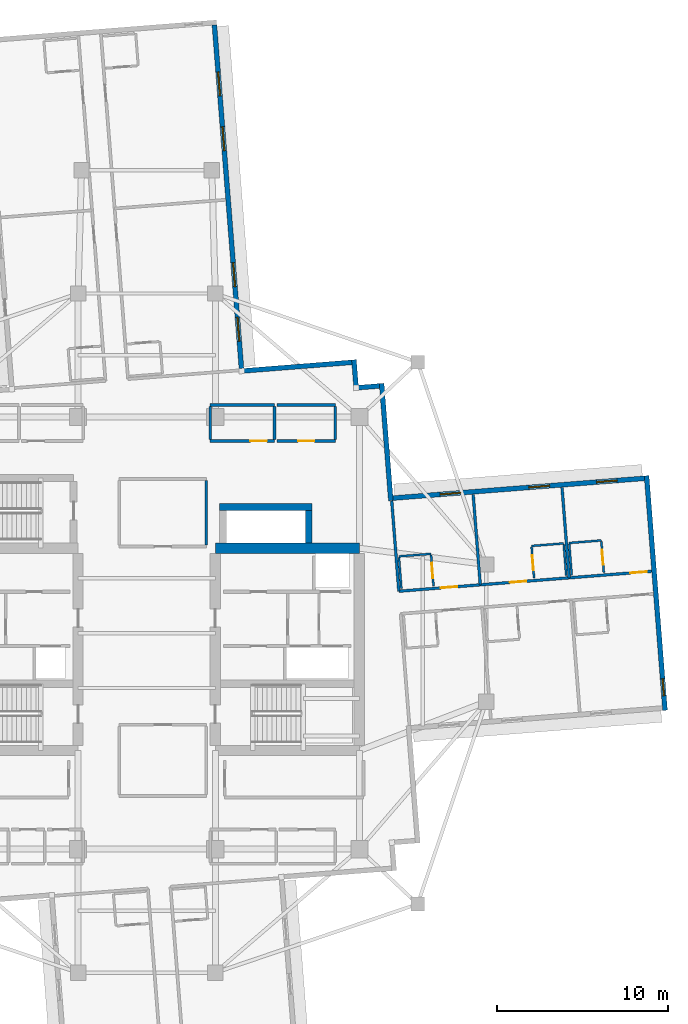
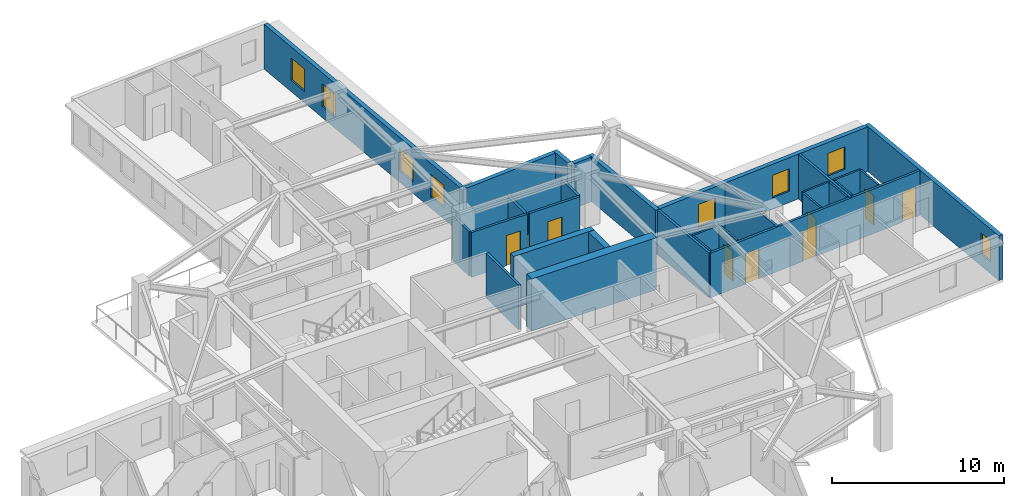
# One storey, part 8 of 13: 31 walls, 8 doors, 8 windows, 16 openings.
"""IFC4 building model written with IfcOpenShell, lengths in metres."""

from ifc_helpers import new_model, si_unit, direction, frame, frame_2d, origin, place, context, subcontext, project, spatial, rectangle, extrude, material, layer, layer_set, type_object, element, fill, save


model = new_model("IFC4")

# Units and contexts
model_context = context("Model", 3, precision=1e-05, world=origin(), true_north=direction((0.0, 1.0)))
body_context = subcontext(model_context, "Body", "Model", "MODEL_VIEW")
ifc_project = project(units=[si_unit("LENGTHUNIT", "METRE"), si_unit("AREAUNIT", "SQUARE_METRE"), si_unit("VOLUMEUNIT", "CUBIC_METRE"), si_unit("PLANEANGLEUNIT", "RADIAN"), si_unit("MASSUNIT", "GRAM", prefix="KILO")], contexts=[model_context])

# Site, building, storey
site_placement = place(None, origin())
site = spatial("IfcSite", under=ifc_project, at=site_placement, CompositionType="ELEMENT")
building_placement = place(site_placement, origin())
building = spatial("IfcBuilding", under=site, at=building_placement, Name="Qingluan Cross Belvedere", CompositionType="ELEMENT")
storey_placement = place(building_placement, frame((0.0, 0.0, 205.199951171875)))
storey = spatial("IfcBuildingStorey", under=building, at=storey_placement, Name="L51", CompositionType="ELEMENT", Elevation=205.199951171875)

# Walls
ifc_material_1 = material(Name="Concrete C50", Category="concrete")
ifc_layer_1 = layer(ifc_material_1, 0.449951171875, Name="CoreShearWall_450")
ifc_layer_set_1 = layer_set([ifc_layer_1], Name="Concrete C50")
wall_type_1 = type_object("IfcWallType", Name="CoreShearWall_450", PredefinedType="SHEAR", material=ifc_layer_set_1)
wall_1_placement = place(storey_placement, frame((4.25, 7.35009765625, 0.0), z_axis=(0.0, 0.0, 1.0), x_axis=(1.0, 0.0, 0.0)))
element("IfcWall", 1, at=wall_1_placement, inside=storey, type_object=wall_type_1, Name="Express shuttle core wall L51-N", PredefinedType="SHEAR", context=body_context, shape_type="SweptSolid", body=[
    extrude(rectangle(XDim=5.39990234375, YDim=0.39990234375, at=frame_2d((2.699951171875, 0.0))), origin(), (0.0, 0.0, 1.0), 3.699951171875),
])
wall_2_placement = place(storey_placement, frame((9.449951171875, 5.2548828125, 0.0), z_axis=(0.0, 0.0, 1.0), x_axis=(0.0, 1.0, 0.0)))
element("IfcWall", 2, at=wall_2_placement, inside=storey, type_object=wall_type_1, Name="Express shuttle core wall L51-E", PredefinedType="SHEAR", context=body_context, shape_type="SweptSolid", body=[
    extrude(rectangle(XDim=1.885009765625, YDim=0.39990234375, at=frame_2d((0.9423828125, 0.0))), origin(), (0.0, 0.0, 1.0), 3.699951171875),
])
ifc_material_2 = material(Name="Concrete C60", Category="concrete")
ifc_layer_2 = layer(ifc_material_2, 0.60009765625, Name="CoreShearWall_600")
ifc_layer_set_2 = layer_set([ifc_layer_2], Name="Concrete C60")
wall_type_2 = type_object("IfcWallType", Name="CoreShearWall_600", PredefinedType="SHEAR", material=ifc_layer_set_2)
wall_3_placement = place(storey_placement, frame((4.0, 4.949951171875, 0.0), z_axis=(0.0, 0.0, 1.0), x_axis=(1.0, 0.0, 0.0)))
element("IfcWall", 3, at=wall_3_placement, inside=storey, type_object=wall_type_2, Name="Split core E shear wall L51-N", PredefinedType="SHEAR", context=body_context, shape_type="SweptSolid", body=[
    extrude(rectangle(XDim=8.39990234375, YDim=0.60009765625, at=frame_2d((4.199951171875, 0.0))), origin(), (0.0, 0.0, 1.0), 3.699951171875),
])

# Wall, opening, door
ifc_material_3 = material(Name="Gypsum plasterboard on steel stud acoustic partition", Category="steel")
ifc_layer_3 = layer(ifc_material_3, 0.159912109375, Name="CorridorPartition_160")
ifc_layer_set_3 = layer_set([ifc_layer_3], Name="Gypsum plasterboard on steel stud acoustic partition")
wall_type_3 = type_object("IfcWallType", Name="CorridorPartition_160", PredefinedType="PARTITIONING", material=ifc_layer_set_3)
wall_4_placement = place(storey_placement, frame((3.699951171875, 11.199951171875, 0.0), z_axis=(0.0, 0.0, 1.0), x_axis=(1.0, 0.0, 0.0)))
wall_4 = element("IfcWall", 4, at=wall_4_placement, inside=storey, type_object=wall_type_3, Name="Partition L51:q_ne1:S", PredefinedType="PARTITIONING", context=body_context, shape_type="SweptSolid", body=[
    extrude(rectangle(XDim=3.75, YDim=0.159912109375, at=frame_2d((1.875, 0.0))), origin(), (0.0, 0.0, 1.0), 3.170166015625),
])
opening_1_placement = place(wall_4_placement, frame((2.344970703125, 0.0, 0.0)))
opening_1 = element("IfcOpeningElement", 5, at=opening_1_placement, cuts=wall_4, Name="Opening GD-10", PredefinedType="OPENING", context=body_context, shape_type="SweptSolid", body=[
    extrude(rectangle(XDim=0.9599609375, YDim=2.14990234375, at=frame_2d((0.47998046875, 1.074951171875))), frame((0.0, 0.08984375, 0.0), z_axis=(0.0, -1.0, 0.0), x_axis=(1.0, 0.0, 0.0)), (0.0, 0.0, 1.0), 0.179931640625),
])
ifc_material_4 = material(Name="Timber oak fire-rated acoustic guestroom door", Category="wood")
door_type_1 = type_object("IfcDoorType", Name="GuestEntryDoor_FD60", OperationType="NOTDEFINED", PredefinedType="DOOR", material=ifc_material_4)
door_1_placement = place(opening_1_placement, origin())
door_1 = element("IfcDoor", 6, at=door_1_placement, inside=storey, type_object=door_type_1, Name="Private chef dining room L51 door", OperationType="SINGLE_SWING_RIGHT", OverallHeight=2.14990234375, OverallWidth=0.9599609375, PredefinedType="DOOR", context=body_context, shape_type="SweptSolid", body=[
    extrude(rectangle(XDim=0.9599609375, YDim=2.14990234375, at=frame_2d((0.47998046875, 1.074951171875))), frame((0.0, 0.02490234375, 0.0), z_axis=(0.0, -1.0, 0.0), x_axis=(1.0, 0.0, 0.0)), (0.0, 0.0, 1.0), 0.050048828125),
])
fill(opening_1, door_1)

# Walls
wall_5_placement = place(storey_placement, frame((3.699951171875, 13.300048828125, 0.0), z_axis=(0.0, 0.0, 1.0), x_axis=(1.0, 0.0, 0.0)))
element("IfcWall", 7, at=wall_5_placement, inside=storey, type_object=wall_type_3, Name="Partition L51:q_ne1:N", PredefinedType="PARTITIONING", context=body_context, shape_type="SweptSolid", body=[
    extrude(rectangle(XDim=3.75, YDim=0.159912109375, at=frame_2d((1.875, 0.0))), origin(), (0.0, 0.0, 1.0), 3.170166015625),
])
for number, where, z_axis, x_axis, name in (
    (8, (3.699951171875, 11.284912109375, 0.0), (0.0, 0.0, 1.0), (0.0, 1.0, 0.0), "Partition L51:q_ne1:W"),
    (9, (7.449951171875, 11.284912109375, 0.0), (0.0, 0.0, 1.0), (0.0, 1.0, 0.0), "Partition L51:q_ne1:E"),
):
    element("IfcWall", number, at=place(storey_placement, frame(where, z_axis=z_axis, x_axis=x_axis)), inside=storey, type_object=wall_type_3, Name=name, PredefinedType="PARTITIONING", context=body_context, shape_type="SweptSolid", body=[
        extrude(rectangle(XDim=1.93017578125, YDim=0.159912109375, at=frame_2d((0.965087890625, 0.0))), origin(), (0.0, 0.0, 1.0), 3.170166015625),
    ])

# Wall, opening, door
wall_6_placement = place(storey_placement, frame((7.610107421875, 11.199951171875, 0.0), z_axis=(0.0, 0.0, 1.0), x_axis=(1.0, 0.0, 0.0)))
wall_6 = element("IfcWall", 10, at=wall_6_placement, inside=storey, type_object=wall_type_3, Name="Partition L51:q_ne2:S", PredefinedType="PARTITIONING", context=body_context, shape_type="SweptSolid", body=[
    extrude(rectangle(XDim=3.389892578125, YDim=0.159912109375, at=frame_2d((1.69482421875, 0.0))), origin(), (0.0, 0.0, 1.0), 3.170166015625),
])
opening_2_placement = place(wall_6_placement, frame((1.215087890625, 0.0, 0.0)))
opening_2 = element("IfcOpeningElement", 11, at=opening_2_placement, cuts=wall_6, Name="Opening GD-10", PredefinedType="OPENING", context=body_context, shape_type="SweptSolid", body=[
    extrude(rectangle(XDim=0.9599609375, YDim=2.14990234375, at=frame_2d((0.47998046875, 1.074951171875))), frame((0.0, 0.08984375, 0.0), z_axis=(0.0, -1.0, 0.0), x_axis=(1.0, 0.0, 0.0)), (0.0, 0.0, 1.0), 0.179931640625),
])
door_2_placement = place(opening_2_placement, origin())
door_2 = element("IfcDoor", 12, at=door_2_placement, inside=storey, type_object=door_type_1, Name="Northeast tea salon L51 door", OperationType="SINGLE_SWING_LEFT", OverallHeight=2.14990234375, OverallWidth=0.9599609375, PredefinedType="DOOR", context=body_context, shape_type="SweptSolid", body=[
    extrude(rectangle(XDim=0.9599609375, YDim=2.14990234375, at=frame_2d((0.47998046875, 1.074951171875))), frame((0.0, 0.02490234375, 0.0), z_axis=(0.0, -1.0, 0.0), x_axis=(1.0, 0.0, 0.0)), (0.0, 0.0, 1.0), 0.050048828125),
])
fill(opening_2, door_2)

# Walls
wall_7_placement = place(storey_placement, frame((7.610107421875, 13.300048828125, 0.0), z_axis=(0.0, 0.0, 1.0), x_axis=(1.0, 0.0, 0.0)))
element("IfcWall", 13, at=wall_7_placement, inside=storey, type_object=wall_type_3, Name="Partition L51:q_ne2:N", PredefinedType="PARTITIONING", context=body_context, shape_type="SweptSolid", body=[
    extrude(rectangle(XDim=3.389892578125, YDim=0.159912109375, at=frame_2d((1.69482421875, 0.0))), origin(), (0.0, 0.0, 1.0), 3.170166015625),
])
wall_8_placement = place(storey_placement, frame((11.0, 11.284912109375, 0.0), z_axis=(0.0, 0.0, 1.0), x_axis=(0.0, 1.0, 0.0)))
element("IfcWall", 14, at=wall_8_placement, inside=storey, type_object=wall_type_3, Name="Partition L51:q_ne2:E", PredefinedType="PARTITIONING", context=body_context, shape_type="SweptSolid", body=[
    extrude(rectangle(XDim=1.93017578125, YDim=0.159912109375, at=frame_2d((0.965087890625, 0.0))), origin(), (0.0, 0.0, 1.0), 3.170166015625),
])
wall_9_placement = place(storey_placement, frame((3.47998046875, 5.135009765625, 0.0), z_axis=(0.0, 0.0, 1.0), x_axis=(0.0, 1.0, 0.0)))
element("IfcWall", 15, at=wall_9_placement, inside=storey, type_object=wall_type_3, Name="Partition L51:sky_tea_alcove:E", PredefinedType="PARTITIONING", context=body_context, shape_type="SweptSolid", body=[
    extrude(rectangle(XDim=3.760009765625, YDim=0.159912109375, at=frame_2d((1.8798828125, 0.0))), origin(), (0.0, 0.0, 1.0), 3.170166015625),
])

# Wall, openings, doors
wall_10_placement = place(storey_placement, frame((14.703857421875, 2.441162109375, 0.0), z_axis=(0.0, 0.0, 1.0), x_axis=(0.996916603826, 0.078468369529, 0.0)))
wall_10 = element("IfcWall", 16, at=wall_10_placement, inside=storey, type_object=wall_type_3, Name="Partition L51:E:c0", PredefinedType="PARTITIONING", context=body_context, shape_type="SweptSolid", body=[
    extrude(rectangle(XDim=14.781982421875, YDim=0.159912109375, at=frame_2d((7.39111328125, 0.0))), origin(), (0.0, 0.0, 1.0), 3.170166015625),
])
opening_3_placement = place(wall_10_placement, frame((2.4560546875, 0.0, 0.0)))
opening_3 = element("IfcOpeningElement", 17, at=opening_3_placement, cuts=wall_10, Name="Opening GD-10", PredefinedType="OPENING", context=body_context, shape_type="SweptSolid", body=[
    extrude(rectangle(XDim=0.9599609375, YDim=2.14990234375, at=frame_2d((0.47998046875, 1.074951171875))), frame((0.0, 0.08984375, 0.0), z_axis=(0.0, -1.0, 0.0), x_axis=(1.0, 0.0, 0.0)), (0.0, 0.0, 1.0), 0.179931640625),
])
opening_4_placement = place(wall_10_placement, frame((6.5009765625, 0.0, 0.0)))
opening_4 = element("IfcOpeningElement", 18, at=opening_4_placement, cuts=wall_10, Name="Opening GD-10", PredefinedType="OPENING", context=body_context, shape_type="SweptSolid", body=[
    extrude(rectangle(XDim=0.9599609375, YDim=2.14990234375, at=frame_2d((0.47998046875, 1.074951171875))), frame((0.0, 0.08984375, 0.0), z_axis=(0.0, -1.0, 0.0), x_axis=(1.0, 0.0, 0.0)), (0.0, 0.0, 1.0), 0.179931640625),
])
opening_5_placement = place(wall_10_placement, frame((13.530029296875, 0.0, 0.0)))
opening_5 = element("IfcOpeningElement", 19, at=opening_5_placement, cuts=wall_10, Name="Opening GD-10", PredefinedType="OPENING", context=body_context, shape_type="SweptSolid", body=[
    extrude(rectangle(XDim=0.9599609375, YDim=2.14990234375, at=frame_2d((0.47998046875, 1.074951171875))), frame((0.0, 0.08984375, 0.0), z_axis=(0.0, -1.0, 0.0), x_axis=(1.0, 0.0, 0.0)), (0.0, 0.0, 1.0), 0.179931640625),
])
door_3_placement = place(opening_3_placement, origin())
door_3 = element("IfcDoor", 20, at=door_3_placement, inside=storey, type_object=door_type_1, Name="Guest entry fire door 5101", OperationType="SINGLE_SWING_LEFT", OverallHeight=2.14990234375, OverallWidth=0.9599609375, PredefinedType="DOOR", context=body_context, shape_type="SweptSolid", body=[
    extrude(rectangle(XDim=0.9599609375, YDim=2.14990234375, at=frame_2d((0.47998046875, 1.074951171875))), frame((0.0, 0.02490234375, 0.0), z_axis=(0.0, -1.0, 0.0), x_axis=(1.0, 0.0, 0.0)), (0.0, 0.0, 1.0), 0.050048828125),
])
fill(opening_3, door_3)
door_4_placement = place(opening_4_placement, origin())
door_4 = element("IfcDoor", 21, at=door_4_placement, inside=storey, type_object=door_type_1, Name="Guest entry fire door 5102", OperationType="SINGLE_SWING_LEFT", OverallHeight=2.14990234375, OverallWidth=0.9599609375, PredefinedType="DOOR", context=body_context, shape_type="SweptSolid", body=[
    extrude(rectangle(XDim=0.9599609375, YDim=2.14990234375, at=frame_2d((0.47998046875, 1.074951171875))), frame((0.0, 0.02490234375, 0.0), z_axis=(0.0, -1.0, 0.0), x_axis=(1.0, 0.0, 0.0)), (0.0, 0.0, 1.0), 0.050048828125),
])
fill(opening_4, door_4)
door_5_placement = place(opening_5_placement, origin())
door_5 = element("IfcDoor", 22, at=door_5_placement, inside=storey, type_object=door_type_1, Name="Guest entry fire door 5103", OperationType="SINGLE_SWING_LEFT", OverallHeight=2.14990234375, OverallWidth=0.9599609375, PredefinedType="DOOR", context=body_context, shape_type="SweptSolid", body=[
    extrude(rectangle(XDim=0.9599609375, YDim=2.14990234375, at=frame_2d((0.47998046875, 1.074951171875))), frame((0.0, 0.02490234375, 0.0), z_axis=(0.0, -1.0, 0.0), x_axis=(1.0, 0.0, 0.0)), (0.0, 0.0, 1.0), 0.050048828125),
])
fill(opening_5, door_5)

# Walls
for number, where, z_axis, x_axis, name in (
    (23, (14.703857421875, 2.441162109375, 0.0), (0.0, 0.0, 1.0), (-0.078474447191, 0.996916125428, 0.0), "Partition L51:E:s0"),
    (24, (19.4521484375, 2.81494140625, 0.0), (0.0, 0.0, 1.0), (-0.078474447191, 0.996916125428, 0.0), "Partition L51:E:d0_0"),
    (25, (24.634033203125, 3.22265625, 0.0), (0.0, 0.0, 1.0), (-0.078428596747, 0.996919733586, 0.0), "Partition L51:E:d0_1"),
):
    element("IfcWall", number, at=place(storey_placement, frame(where, z_axis=z_axis, x_axis=x_axis)), inside=storey, type_object=wall_type_3, Name=name, PredefinedType="PARTITIONING", context=body_context, shape_type="SweptSolid", body=[
        extrude(rectangle(XDim=5.2919921875, YDim=0.159912109375, at=frame_2d((2.64599609375, 0.0))), origin(), (0.0, 0.0, 1.0), 3.170166015625),
    ])

# Wall, opening, door
ifc_material_5 = material(Name="Moisture-resistant gypsum board lining")
ifc_layer_4 = layer(ifc_material_5, 0.1201171875, Name="EnsuiteWetPartition_120")
ifc_layer_set_4 = layer_set([ifc_layer_4], Name="Moisture-resistant gypsum board lining")
wall_type_4 = type_object("IfcWallType", Name="EnsuiteWetPartition_120", PredefinedType="PARTITIONING", material=ifc_layer_set_4)
wall_11_placement = place(storey_placement, frame((16.7265625, 2.74072265625, 0.0), z_axis=(0.0, 0.0, 1.0), x_axis=(-0.0784709492, 0.996916400774, 0.0)))
wall_11 = element("IfcWall", 26, at=wall_11_placement, inside=storey, type_object=wall_type_4, Name="Partition L51:E:bs0_0", PredefinedType="PARTITIONING", context=body_context, shape_type="SweptSolid", body=[
    extrude(rectangle(XDim=1.820068359375, YDim=0.1201171875, at=frame_2d((0.91015625, 0.0))), origin(), (0.0, 0.0, 1.0), 3.170166015625),
])
opening_6_placement = place(wall_11_placement, frame((0.469970703125, 0.0, 0.0)))
opening_6 = element("IfcOpeningElement", 27, at=opening_6_placement, cuts=wall_11, Name="Opening BD-09", PredefinedType="OPENING", context=body_context, shape_type="SweptSolid", body=[
    extrude(rectangle(XDim=0.8798828125, YDim=2.10009765625, at=frame_2d((0.43994140625, 1.050048828125))), frame((0.0, 0.070068359375, 0.0), z_axis=(0.0, -1.0, 0.0), x_axis=(1.0, 0.0, 0.0)), (0.0, 0.0, 1.0), 0.14013671875),
])
ifc_material_6 = material(Name="Moisture-sealed timber en-suite door", Category="wood")
door_type_2 = type_object("IfcDoorType", Name="BathroomDoor_880", OperationType="NOTDEFINED", PredefinedType="DOOR", material=ifc_material_6)
door_6_placement = place(opening_6_placement, origin())
door_6 = element("IfcDoor", 28, at=door_6_placement, inside=storey, type_object=door_type_2, Name="Bathroom door 5101", OperationType="SINGLE_SWING_RIGHT", OverallHeight=2.10009765625, OverallWidth=0.8798828125, PredefinedType="DOOR", context=body_context, shape_type="SweptSolid", body=[
    extrude(rectangle(XDim=0.8798828125, YDim=2.10009765625, at=frame_2d((0.43994140625, 1.050048828125))), frame((0.0, 0.02490234375, 0.0), z_axis=(0.0, -1.0, 0.0), x_axis=(1.0, 0.0, 0.0)), (0.0, 0.0, 1.0), 0.050048828125),
])
fill(opening_6, door_6)

# Walls
wall_12_placement = place(storey_placement, frame((14.852294921875, 2.59326171875, 0.0), z_axis=(0.0, 0.0, 1.0), x_axis=(-0.0784709492, 0.996916400774, 0.0)))
element("IfcWall", 29, at=wall_12_placement, inside=storey, type_object=wall_type_4, Name="Partition L51:E:bw0_0", PredefinedType="PARTITIONING", context=body_context, shape_type="SweptSolid", body=[
    extrude(rectangle(XDim=1.820068359375, YDim=0.1201171875, at=frame_2d((0.91015625, 0.0))), origin(), (0.0, 0.0, 1.0), 3.170166015625),
])
wall_13_placement = place(storey_placement, frame((14.704345703125, 4.472412109375, 0.0), z_axis=(0.0, 0.0, 1.0), x_axis=(0.996909131608, 0.078563244057, 0.0)))
element("IfcWall", 30, at=wall_13_placement, inside=storey, type_object=wall_type_4, Name="Partition L51:E:bn0_0", PredefinedType="PARTITIONING", context=body_context, shape_type="SweptSolid", body=[
    extrude(rectangle(XDim=1.880126953125, YDim=0.1201171875, at=frame_2d((0.93994140625, 0.0))), origin(), (0.0, 0.0, 1.0), 3.170166015625),
])

# Wall, opening, door
wall_14_placement = place(storey_placement, frame((22.58935546875, 3.2021484375, 0.0), z_axis=(0.0, 0.0, 1.0), x_axis=(-0.0784709492, 0.996916400774, 0.0)))
wall_14 = element("IfcWall", 31, at=wall_14_placement, inside=storey, type_object=wall_type_4, Name="Partition L51:E:bs0_1", PredefinedType="PARTITIONING", context=body_context, shape_type="SweptSolid", body=[
    extrude(rectangle(XDim=1.820068359375, YDim=0.1201171875, at=frame_2d((0.91015625, 0.0))), origin(), (0.0, 0.0, 1.0), 3.170166015625),
])
opening_7_placement = place(wall_14_placement, frame((0.469970703125, 0.0, 0.0)))
opening_7 = element("IfcOpeningElement", 32, at=opening_7_placement, cuts=wall_14, Name="Opening BD-09", PredefinedType="OPENING", context=body_context, shape_type="SweptSolid", body=[
    extrude(rectangle(XDim=0.8798828125, YDim=2.10009765625, at=frame_2d((0.43994140625, 1.050048828125))), frame((0.0, 0.070068359375, 0.0), z_axis=(0.0, -1.0, 0.0), x_axis=(1.0, 0.0, 0.0)), (0.0, 0.0, 1.0), 0.14013671875),
])
door_7_placement = place(opening_7_placement, origin())
door_7 = element("IfcDoor", 33, at=door_7_placement, inside=storey, type_object=door_type_2, Name="Bathroom door 5102", OperationType="SINGLE_SWING_RIGHT", OverallHeight=2.10009765625, OverallWidth=0.8798828125, PredefinedType="DOOR", context=body_context, shape_type="SweptSolid", body=[
    extrude(rectangle(XDim=0.8798828125, YDim=2.10009765625, at=frame_2d((0.43994140625, 1.050048828125))), frame((0.0, 0.02490234375, 0.0), z_axis=(0.0, -1.0, 0.0), x_axis=(1.0, 0.0, 0.0)), (0.0, 0.0, 1.0), 0.050048828125),
])
fill(opening_7, door_7)

# Walls
wall_15_placement = place(storey_placement, frame((24.463623046875, 3.349609375, 0.0), z_axis=(0.0, 0.0, 1.0), x_axis=(-0.0784709492, 0.996916400774, 0.0)))
element("IfcWall", 34, at=wall_15_placement, inside=storey, type_object=wall_type_4, Name="Partition L51:E:bw0_1", PredefinedType="PARTITIONING", context=body_context, shape_type="SweptSolid", body=[
    extrude(rectangle(XDim=1.820068359375, YDim=0.1201171875, at=frame_2d((0.91015625, 0.0))), origin(), (0.0, 0.0, 1.0), 3.170166015625),
])
wall_16_placement = place(storey_placement, frame((22.44140625, 5.081298828125, 0.0), z_axis=(0.0, 0.0, 1.0), x_axis=(0.996909131608, 0.078563244057, 0.0)))
element("IfcWall", 35, at=wall_16_placement, inside=storey, type_object=wall_type_4, Name="Partition L51:E:bn0_1", PredefinedType="PARTITIONING", context=body_context, shape_type="SweptSolid", body=[
    extrude(rectangle(XDim=1.880126953125, YDim=0.1201171875, at=frame_2d((0.93994140625, 0.0))), origin(), (0.0, 0.0, 1.0), 3.170166015625),
])

# Wall, opening, door
wall_17_placement = place(storey_placement, frame((26.65673828125, 3.522216796875, 0.0), z_axis=(0.0, 0.0, 1.0), x_axis=(-0.0784709492, 0.996916400774, 0.0)))
wall_17 = element("IfcWall", 36, at=wall_17_placement, inside=storey, type_object=wall_type_4, Name="Partition L51:E:bs0_2", PredefinedType="PARTITIONING", context=body_context, shape_type="SweptSolid", body=[
    extrude(rectangle(XDim=1.820068359375, YDim=0.1201171875, at=frame_2d((0.91015625, 0.0))), origin(), (0.0, 0.0, 1.0), 3.170166015625),
])
opening_8_placement = place(wall_17_placement, frame((0.469970703125, 0.0, 0.0)))
opening_8 = element("IfcOpeningElement", 37, at=opening_8_placement, cuts=wall_17, Name="Opening BD-09", PredefinedType="OPENING", context=body_context, shape_type="SweptSolid", body=[
    extrude(rectangle(XDim=0.8798828125, YDim=2.10009765625, at=frame_2d((0.43994140625, 1.050048828125))), frame((0.0, 0.070068359375, 0.0), z_axis=(0.0, -1.0, 0.0), x_axis=(1.0, 0.0, 0.0)), (0.0, 0.0, 1.0), 0.14013671875),
])
door_8_placement = place(opening_8_placement, origin())
door_8 = element("IfcDoor", 38, at=door_8_placement, inside=storey, type_object=door_type_2, Name="Bathroom door 5103", OperationType="SINGLE_SWING_RIGHT", OverallHeight=2.10009765625, OverallWidth=0.8798828125, PredefinedType="DOOR", context=body_context, shape_type="SweptSolid", body=[
    extrude(rectangle(XDim=0.8798828125, YDim=2.10009765625, at=frame_2d((0.43994140625, 1.050048828125))), frame((0.0, 0.02490234375, 0.0), z_axis=(0.0, -1.0, 0.0), x_axis=(1.0, 0.0, 0.0)), (0.0, 0.0, 1.0), 0.050048828125),
])
fill(opening_8, door_8)

# Walls
wall_18_placement = place(storey_placement, frame((24.78271484375, 3.374755859375, 0.0), z_axis=(0.0, 0.0, 1.0), x_axis=(-0.0784709492, 0.996916400774, 0.0)))
element("IfcWall", 39, at=wall_18_placement, inside=storey, type_object=wall_type_4, Name="Partition L51:E:bw0_2", PredefinedType="PARTITIONING", context=body_context, shape_type="SweptSolid", body=[
    extrude(rectangle(XDim=1.820068359375, YDim=0.1201171875, at=frame_2d((0.91015625, 0.0))), origin(), (0.0, 0.0, 1.0), 3.170166015625),
])
wall_19_placement = place(storey_placement, frame((24.634765625, 5.25390625, 0.0), z_axis=(0.0, 0.0, 1.0), x_axis=(0.996908329954, 0.078573415792, 0.0)))
element("IfcWall", 40, at=wall_19_placement, inside=storey, type_object=wall_type_4, Name="Partition L51:E:bn0_2", PredefinedType="PARTITIONING", context=body_context, shape_type="SweptSolid", body=[
    extrude(rectangle(XDim=1.8798828125, YDim=0.1201171875, at=frame_2d((0.93994140625, 0.0))), origin(), (0.0, 0.0, 1.0), 3.170166015625),
])

# Wall, openings, windows
ifc_material_7 = material(Name="Precast concrete C45", Category="concrete")
ifc_layer_5 = layer(ifc_material_7, 0.280029296875, Name="PrecastFacadeWall_280")
ifc_layer_set_5 = layer_set([ifc_layer_5], Name="Precast concrete C45")
wall_type_5 = type_object("IfcWallType", Name="PrecastFacadeWall_280", PredefinedType="STANDARD", material=ifc_layer_set_5)
wall_20_placement = place(storey_placement, frame((29.021484375, 9.02490234375, 0.0), z_axis=(0.0, 0.0, 1.0), x_axis=(-0.996917526837, -0.078456642068, 0.0)))
wall_20 = element("IfcWall", 41, at=wall_20_placement, inside=storey, type_object=wall_type_5, Name="Facade wall L51-EB", PredefinedType="STANDARD", context=body_context, shape_type="SweptSolid", body=[
    extrude(rectangle(XDim=14.7001953125, YDim=0.280029296875, at=frame_2d((7.35009765625, 0.0))), origin(), (0.0, 0.0, 1.0), 3.179931640625),
])
opening_9_placement = place(wall_20_placement, frame((1.60009765625, 0.0, 0.800048828125)))
opening_9 = element("IfcOpeningElement", 42, at=opening_9_placement, cuts=wall_20, Name="Opening W-02", PredefinedType="OPENING", context=body_context, shape_type="SweptSolid", body=[
    extrude(rectangle(XDim=1.199951171875, YDim=1.60009765625, at=frame_2d((0.60009765625, 0.800048828125))), frame((0.0, 0.14990234375, 0.0), z_axis=(0.0, -1.0, 0.0), x_axis=(1.0, 0.0, 0.0)), (0.0, 0.0, 1.0), 0.300048828125),
])
opening_10_placement = place(wall_20_placement, frame((5.550048828125, 0.0, 0.800048828125)))
opening_10 = element("IfcOpeningElement", 43, at=opening_10_placement, cuts=wall_20, Name="Opening W-02", PredefinedType="OPENING", context=body_context, shape_type="SweptSolid", body=[
    extrude(rectangle(XDim=1.199951171875, YDim=1.60009765625, at=frame_2d((0.60009765625, 0.800048828125))), frame((0.0, 0.14990234375, 0.0), z_axis=(0.0, -1.0, 0.0), x_axis=(1.0, 0.0, 0.0)), (0.0, 0.0, 1.0), 0.300048828125),
])
opening_11_placement = place(wall_20_placement, frame((10.75, 0.0, 0.800048828125)))
opening_11 = element("IfcOpeningElement", 44, at=opening_11_placement, cuts=wall_20, Name="Opening W-02", PredefinedType="OPENING", context=body_context, shape_type="SweptSolid", body=[
    extrude(rectangle(XDim=1.199951171875, YDim=1.60009765625, at=frame_2d((0.60009765625, 0.800048828125))), frame((0.0, 0.14990234375, 0.0), z_axis=(0.0, -1.0, 0.0), x_axis=(1.0, 0.0, 0.0)), (0.0, 0.0, 1.0), 0.300048828125),
])
ifc_material_8 = material(Name="Thermally broken triple Low-E glass in aluminium frame", Category="aluminium")
window_type_1 = type_object("IfcWindowType", Name="TriRibbonWin_1200x1600", PartitioningType="SINGLE_PANEL", PredefinedType="WINDOW", material=ifc_material_8)
window_1_placement = place(opening_9_placement, origin())
window_1 = element("IfcWindow", 45, at=window_1_placement, inside=storey, type_object=window_type_1, Name="Ribbon window L51-EB-1", OverallHeight=1.60009765625, OverallWidth=1.199951171875, PartitioningType="SINGLE_PANEL", PredefinedType="WINDOW", context=body_context, shape_type="SweptSolid", body=[
    extrude(rectangle(XDim=1.199951171875, YDim=1.60009765625, at=frame_2d((0.60009765625, 0.800048828125))), frame((0.0, 0.030029296875, 0.0), z_axis=(0.0, -1.0, 0.0), x_axis=(1.0, 0.0, 0.0)), (0.0, 0.0, 1.0), 0.06005859375),
])
fill(opening_9, window_1)
window_2_placement = place(opening_10_placement, origin())
window_2 = element("IfcWindow", 46, at=window_2_placement, inside=storey, type_object=window_type_1, Name="Ribbon window L51-EB-2", OverallHeight=1.60009765625, OverallWidth=1.199951171875, PartitioningType="SINGLE_PANEL", PredefinedType="WINDOW", context=body_context, shape_type="SweptSolid", body=[
    extrude(rectangle(XDim=1.199951171875, YDim=1.60009765625, at=frame_2d((0.60009765625, 0.800048828125))), frame((0.0, 0.030029296875, 0.0), z_axis=(0.0, -1.0, 0.0), x_axis=(1.0, 0.0, 0.0)), (0.0, 0.0, 1.0), 0.06005859375),
])
fill(opening_10, window_2)
window_3_placement = place(opening_11_placement, origin())
window_3 = element("IfcWindow", 47, at=window_3_placement, inside=storey, type_object=window_type_1, Name="Ribbon window L51-EB-3", OverallHeight=1.60009765625, OverallWidth=1.199951171875, PartitioningType="SINGLE_PANEL", PredefinedType="WINDOW", context=body_context, shape_type="SweptSolid", body=[
    extrude(rectangle(XDim=1.199951171875, YDim=1.60009765625, at=frame_2d((0.60009765625, 0.800048828125))), frame((0.0, 0.030029296875, 0.0), z_axis=(0.0, -1.0, 0.0), x_axis=(1.0, 0.0, 0.0)), (0.0, 0.0, 1.0), 0.06005859375),
])
fill(opening_11, window_3)

# Wall, opening, window
wall_21_placement = place(storey_placement, frame((30.226318359375, -4.502197265625, 0.0), z_axis=(0.0, 0.0, 1.0), x_axis=(-0.078457226018, 0.996917480881, 0.0)))
wall_21 = element("IfcWall", 48, at=wall_21_placement, inside=storey, type_object=wall_type_5, Name="Arm tip precast facade wall L51-E", PredefinedType="STANDARD", context=body_context, shape_type="SweptSolid", body=[
    extrude(rectangle(XDim=13.7197265625, YDim=0.280029296875, at=frame_2d((6.85986328125, 0.0))), origin(), (0.0, 0.0, 1.0), 3.179931640625),
])
opening_12_placement = place(wall_21_placement, frame((0.85009765625, 0.0, 0.85009765625)))
opening_12 = element("IfcOpeningElement", 49, at=opening_12_placement, cuts=wall_21, Name="Opening W-03", PredefinedType="OPENING", context=body_context, shape_type="SweptSolid", body=[
    extrude(rectangle(XDim=1.0, YDim=1.5, at=frame_2d((0.5, 0.75))), frame((0.0, 0.14990234375, 0.0), z_axis=(0.0, -1.0, 0.0), x_axis=(1.0, 0.0, 0.0)), (0.0, 0.0, 1.0), 0.300048828125),
])
ifc_material_9 = material(Name="Thermally broken triple Low-E glass in aluminium frame", Category="aluminium")
window_type_2 = type_object("IfcWindowType", Name="TriApexWin_1000x1500", PartitioningType="SINGLE_PANEL", PredefinedType="WINDOW", material=ifc_material_9)
window_4_placement = place(opening_12_placement, origin())
window_4 = element("IfcWindow", 50, at=window_4_placement, inside=storey, type_object=window_type_2, Name="Arm tip triangular window L51-E", OverallHeight=1.5, OverallWidth=1.0, PartitioningType="SINGLE_PANEL", PredefinedType="WINDOW", context=body_context, shape_type="SweptSolid", body=[
    extrude(rectangle(XDim=1.0, YDim=1.5, at=frame_2d((0.5, 0.75))), frame((0.0, 0.030029296875, 0.0), z_axis=(0.0, -1.0, 0.0), x_axis=(1.0, 0.0, 0.0)), (0.0, 0.0, 1.0), 0.06005859375),
])
fill(opening_12, window_4)

# Wall, openings, windows
wall_22_placement = place(storey_placement, frame((5.527099609375, 15.421142578125, 0.0), z_axis=(0.0, 0.0, 1.0), x_axis=(-0.078452802979, 0.996917828963, 0.0)))
wall_22 = element("IfcWall", 51, at=wall_22_placement, inside=storey, type_object=wall_type_5, Name="Facade wall L51-NA", PredefinedType="STANDARD", context=body_context, shape_type="SweptSolid", body=[
    extrude(rectangle(XDim=20.10009765625, YDim=0.280029296875, at=frame_2d((10.050048828125, 0.0))), origin(), (0.0, 0.0, 1.0), 3.179931640625),
])
opening_13_placement = place(wall_22_placement, frame((1.60009765625, 0.0, 0.800048828125)))
opening_13 = element("IfcOpeningElement", 52, at=opening_13_placement, cuts=wall_22, Name="Opening W-01", PredefinedType="OPENING", context=body_context, shape_type="SweptSolid", body=[
    extrude(rectangle(XDim=1.39990234375, YDim=1.60009765625, at=frame_2d((0.699951171875, 0.800048828125))), frame((0.0, 0.14990234375, 0.0), z_axis=(0.0, -1.0, 0.0), x_axis=(1.0, 0.0, 0.0)), (0.0, 0.0, 1.0), 0.300048828125),
])
opening_14_placement = place(wall_22_placement, frame((4.800048828125, 0.0, 0.800048828125)))
opening_14 = element("IfcOpeningElement", 53, at=opening_14_placement, cuts=wall_22, Name="Opening W-01", PredefinedType="OPENING", context=body_context, shape_type="SweptSolid", body=[
    extrude(rectangle(XDim=1.39990234375, YDim=1.60009765625, at=frame_2d((0.699951171875, 0.800048828125))), frame((0.0, 0.14990234375, 0.0), z_axis=(0.0, -1.0, 0.0), x_axis=(1.0, 0.0, 0.0)), (0.0, 0.0, 1.0), 0.300048828125),
])
opening_15_placement = place(wall_22_placement, frame((12.75, 0.0, 0.800048828125)))
opening_15 = element("IfcOpeningElement", 54, at=opening_15_placement, cuts=wall_22, Name="Opening W-01", PredefinedType="OPENING", context=body_context, shape_type="SweptSolid", body=[
    extrude(rectangle(XDim=1.39990234375, YDim=1.60009765625, at=frame_2d((0.699951171875, 0.800048828125))), frame((0.0, 0.14990234375, 0.0), z_axis=(0.0, -1.0, 0.0), x_axis=(1.0, 0.0, 0.0)), (0.0, 0.0, 1.0), 0.300048828125),
])
opening_16_placement = place(wall_22_placement, frame((15.949951171875, 0.0, 0.800048828125)))
opening_16 = element("IfcOpeningElement", 55, at=opening_16_placement, cuts=wall_22, Name="Opening W-01", PredefinedType="OPENING", context=body_context, shape_type="SweptSolid", body=[
    extrude(rectangle(XDim=1.39990234375, YDim=1.60009765625, at=frame_2d((0.699951171875, 0.800048828125))), frame((0.0, 0.14990234375, 0.0), z_axis=(0.0, -1.0, 0.0), x_axis=(1.0, 0.0, 0.0)), (0.0, 0.0, 1.0), 0.300048828125),
])
ifc_material_10 = material(Name="Thermally broken triple Low-E glass in aluminium frame", Category="aluminium")
window_type_3 = type_object("IfcWindowType", Name="TriRibbonWin_1400x1600", PartitioningType="SINGLE_PANEL", PredefinedType="WINDOW", material=ifc_material_10)
window_5_placement = place(opening_13_placement, origin())
window_5 = element("IfcWindow", 56, at=window_5_placement, inside=storey, type_object=window_type_3, Name="Ribbon window L51-NA-1", OverallHeight=1.60009765625, OverallWidth=1.39990234375, PartitioningType="SINGLE_PANEL", PredefinedType="WINDOW", context=body_context, shape_type="SweptSolid", body=[
    extrude(rectangle(XDim=1.39990234375, YDim=1.60009765625, at=frame_2d((0.699951171875, 0.800048828125))), frame((0.0, 0.030029296875, 0.0), z_axis=(0.0, -1.0, 0.0), x_axis=(1.0, 0.0, 0.0)), (0.0, 0.0, 1.0), 0.06005859375),
])
fill(opening_13, window_5)
window_6_placement = place(opening_14_placement, origin())
window_6 = element("IfcWindow", 57, at=window_6_placement, inside=storey, type_object=window_type_3, Name="Ribbon window L51-NA-2", OverallHeight=1.60009765625, OverallWidth=1.39990234375, PartitioningType="SINGLE_PANEL", PredefinedType="WINDOW", context=body_context, shape_type="SweptSolid", body=[
    extrude(rectangle(XDim=1.39990234375, YDim=1.60009765625, at=frame_2d((0.699951171875, 0.800048828125))), frame((0.0, 0.030029296875, 0.0), z_axis=(0.0, -1.0, 0.0), x_axis=(1.0, 0.0, 0.0)), (0.0, 0.0, 1.0), 0.06005859375),
])
fill(opening_14, window_6)
window_7_placement = place(opening_15_placement, origin())
window_7 = element("IfcWindow", 58, at=window_7_placement, inside=storey, type_object=window_type_3, Name="Ribbon window L51-NA-3", OverallHeight=1.60009765625, OverallWidth=1.39990234375, PartitioningType="SINGLE_PANEL", PredefinedType="WINDOW", context=body_context, shape_type="SweptSolid", body=[
    extrude(rectangle(XDim=1.39990234375, YDim=1.60009765625, at=frame_2d((0.699951171875, 0.800048828125))), frame((0.0, 0.030029296875, 0.0), z_axis=(0.0, -1.0, 0.0), x_axis=(1.0, 0.0, 0.0)), (0.0, 0.0, 1.0), 0.06005859375),
])
fill(opening_15, window_7)
window_8_placement = place(opening_16_placement, origin())
window_8 = element("IfcWindow", 59, at=window_8_placement, inside=storey, type_object=window_type_3, Name="Ribbon window L51-NA-4", OverallHeight=1.60009765625, OverallWidth=1.39990234375, PartitioningType="SINGLE_PANEL", PredefinedType="WINDOW", context=body_context, shape_type="SweptSolid", body=[
    extrude(rectangle(XDim=1.39990234375, YDim=1.60009765625, at=frame_2d((0.699951171875, 0.800048828125))), frame((0.0, 0.030029296875, 0.0), z_axis=(0.0, -1.0, 0.0), x_axis=(1.0, 0.0, 0.0)), (0.0, 0.0, 1.0), 0.06005859375),
])
fill(opening_16, window_8)

# Walls
wall_23_placement = place(storey_placement, frame((14.238037109375, 7.720947265625, 0.0), z_axis=(0.0, 0.0, 1.0), x_axis=(-0.078438149236, 0.996918982036, 0.0)))
element("IfcWall", 60, at=wall_23_placement, inside=storey, type_object=wall_type_5, Name="Corner wall L51-NE1", PredefinedType="STANDARD", context=body_context, shape_type="SweptSolid", body=[
    extrude(rectangle(XDim=6.860107421875, YDim=0.280029296875, at=frame_2d((3.43017578125, 0.0))), origin(), (0.0, 0.0, 1.0), 3.179931640625),
])
wall_24_placement = place(storey_placement, frame((13.5712890625, 14.4091796875, 0.0), z_axis=(0.0, 0.0, 1.0), x_axis=(-0.996918772, -0.078440818672, 0.0)))
element("IfcWall", 61, at=wall_24_placement, inside=storey, type_object=wall_type_5, Name="Corner wall L51-NE2", PredefinedType="STANDARD", context=body_context, shape_type="SweptSolid", body=[
    extrude(rectangle(XDim=1.219970703125, YDim=0.280029296875, at=frame_2d((0.60986328125, 0.0))), origin(), (0.0, 0.0, 1.0), 3.179931640625),
])
wall_25_placement = place(storey_placement, frame((12.20458984375, 14.442138671875, 0.0), z_axis=(0.0, 0.0, 1.0), x_axis=(-0.078451338629, 0.9969179442, 0.0)))
element("IfcWall", 62, at=wall_25_placement, inside=storey, type_object=wall_type_5, Name="Corner wall L51-NE3", PredefinedType="STANDARD", context=body_context, shape_type="SweptSolid", body=[
    extrude(rectangle(XDim=1.5, YDim=0.280029296875, at=frame_2d((0.75, 0.0))), origin(), (0.0, 0.0, 1.0), 3.179931640625),
])
wall_26_placement = place(storey_placement, frame((11.958251953125, 15.786865234375, 0.0), z_axis=(0.0, 0.0, 1.0), x_axis=(-0.996916125428, -0.078474447191, 0.0)))
element("IfcWall", 63, at=wall_26_placement, inside=storey, type_object=wall_type_5, Name="Corner wall L51-NE4", PredefinedType="STANDARD", context=body_context, shape_type="SweptSolid", body=[
    extrude(rectangle(XDim=6.300048828125, YDim=0.280029296875, at=frame_2d((3.14990234375, 0.0))), origin(), (0.0, 0.0, 1.0), 3.179931640625),
])

save(model, "model.ifc")
